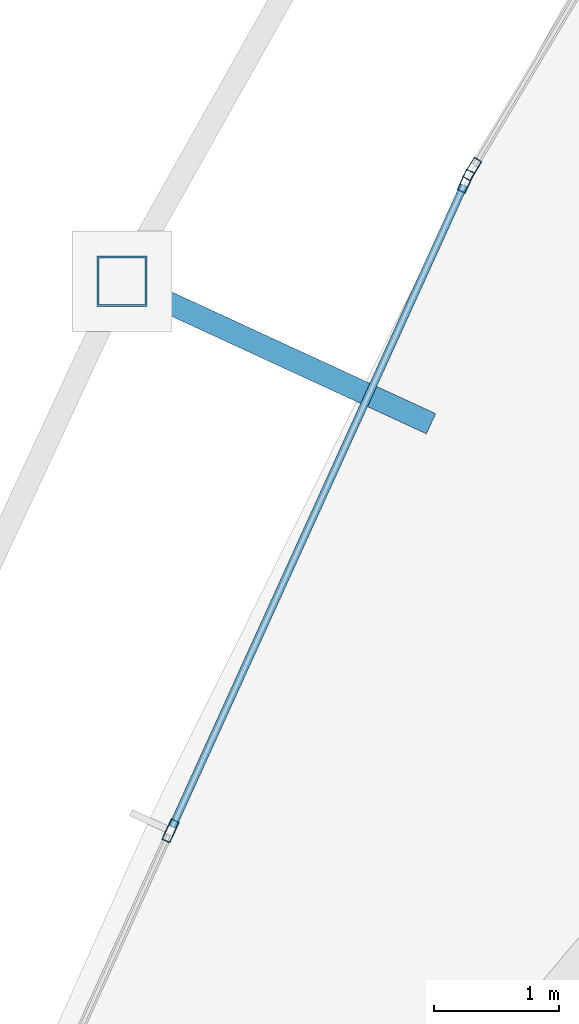
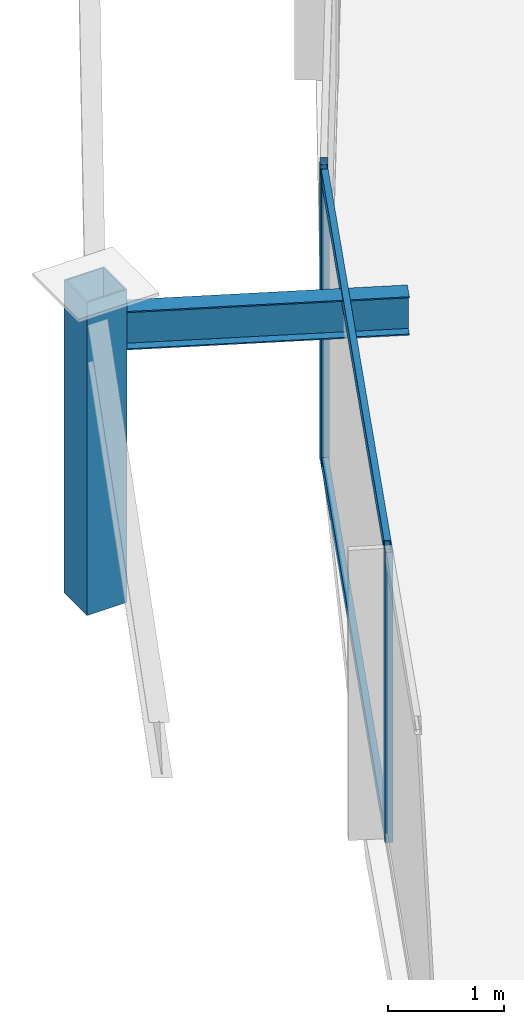
# One storey, part 9 of 31: 6 members, 1 beam, 2 elements without a shape of their own.
"""IFC4 building model written with IfcOpenShell, lengths in metres."""

from ifc_helpers import new_model, si_unit, direction, frame, origin, origin_2d, place, context, subcontext, project, spatial, hollow_rectangle, i_section, extrude, material, layer, layer_set, material_profile, profile_set, type_object, element, aggregate, save


model = new_model("IFC4")

# Units and contexts
model_context = context("Model", 3, precision=1e-05, world=origin(), true_north=direction((0.0, 1.0)))
body_context = subcontext(model_context, "Body", "Model", "MODEL_VIEW")
ifc_project = project(units=[si_unit("LENGTHUNIT", "METRE"), si_unit("AREAUNIT", "SQUARE_METRE"), si_unit("VOLUMEUNIT", "CUBIC_METRE"), si_unit("PLANEANGLEUNIT", "RADIAN"), si_unit("MASSUNIT", "GRAM", prefix="KILO")], contexts=[model_context])

# Site, building, storey
site_placement = place(None, origin())
site = spatial("IfcSite", under=ifc_project, at=site_placement, CompositionType="ELEMENT")
building_placement = place(site_placement, origin())
building = spatial("IfcBuilding", under=site, at=building_placement, Name="Orvanel Arch Residences", CompositionType="ELEMENT")
storey_placement = place(building_placement, frame((0.0, 0.0, 133.10009765625)))
storey = spatial("IfcBuildingStorey", under=building, at=storey_placement, Name="L37", CompositionType="ELEMENT", Elevation=133.10009765625)

# Curtain wall, member
ifc_material_1 = material(Name="Bronze-anodised aluminium AA6063-T6", Category="aluminium")
ifc_layer = layer(ifc_material_1, 0.179931640625)
ifc_layer_set = layer_set([ifc_layer], Name="Bronze-anodised aluminium AA6063-T6")
curtain_wall_type = type_object("IfcCurtainWallType", Name="CW3-MID-SYS", PredefinedType="NOTDEFINED", material=ifc_layer_set)
curtain_wall_1_placement = place(storey_placement, origin())
curtain_wall_1 = element("IfcCurtainWall", 1, at=curtain_wall_1_placement, inside=storey, type_object=curtain_wall_type, Name="L37 CW3-MID-SYS Unitised Curtain Wall", PredefinedType="NOTDEFINED")
ifc_material_profile_1 = material_profile(ifc_material_1, hollow_rectangle(XDim=0.070068359375, YDim=0.179931640625, WallThickness=0.00439453125, at=origin_2d()), Name="ALU180x70x4.5")
ifc_profile_set_1 = profile_set([ifc_material_profile_1], Name="Bronze-anodised aluminium AA6063-T6")
member_type_1 = type_object("IfcMemberType", Name="MUL-180x70", PredefinedType="MULLION", material=ifc_profile_set_1)
member_1_placement = place(storey_placement, frame((14.4189453125, 24.64599609375, 0.0), z_axis=(0.0, 0.0, 1.0), x_axis=(0.857531765451, -0.514431016991, 0.0)))
member_1 = element("IfcMember", 2, at=member_1_placement, type_object=member_type_1, Name="CW-S3 mullion 3", PredefinedType="MULLION", context=body_context, shape_type="SweptSolid", body=[
    extrude(hollow_rectangle(XDim=0.070068359375, YDim=0.179931640625, WallThickness=0.00439453125, at=origin_2d()), origin(), (0.0, 0.0, 1.0), 3.059814453125),
])
aggregate(curtain_wall_1, [member_1])

# Curtain wall, members
curtain_wall_2_placement = place(storey_placement, origin())
curtain_wall_2 = element("IfcCurtainWall", 3, at=curtain_wall_2_placement, inside=storey, type_object=curtain_wall_type, Name="L37 CW3-MID-SYS Unitised Curtain Wall", PredefinedType="NOTDEFINED")
member_2_placement = place(storey_placement, frame((14.368408203125, 24.549072265625, 0.0), z_axis=(0.0, 0.0, 1.0), x_axis=(0.91032458365, -0.413895098306, 0.0)))
member_2 = element("IfcMember", 4, at=member_2_placement, type_object=member_type_1, Name="CW-S3 mullion 1", PredefinedType="MULLION", context=body_context, shape_type="SweptSolid", body=[
    extrude(hollow_rectangle(XDim=0.070068359375, YDim=0.179931640625, WallThickness=0.00439453125, at=origin_2d()), origin(), (0.0, 0.0, 1.0), 3.059814453125),
])
member_3_placement = place(storey_placement, frame((12.014404296875, 19.371337890625, 0.0), z_axis=(0.0, 0.0, 1.0), x_axis=(0.91032458365, -0.413895098306, 0.0)))
member_3 = element("IfcMember", 5, at=member_3_placement, type_object=member_type_1, Name="CW-S3 mullion 2", PredefinedType="MULLION", context=body_context, shape_type="SweptSolid", body=[
    extrude(hollow_rectangle(XDim=0.070068359375, YDim=0.179931640625, WallThickness=0.00439453125, at=origin_2d()), origin(), (0.0, 0.0, 1.0), 3.059814453125),
])

# Beam
ifc_material_2 = material(Name="Structural steel AS/NZS 3679.1 Grade 300 (300 MPa)", Category="steel")
ifc_material_profile_2 = material_profile(ifc_material_2, i_section(OverallWidth=0.177978515625, OverallDepth=0.406005859375, WebThickness=0.0078125, FlangeThickness=0.0126953125, at=origin_2d()), Name="410UB59.7")
ifc_profile_set_2 = profile_set([ifc_material_profile_2], Name="Structural steel AS/NZS 3679.1 Grade 300 (300 MPa)")
beam_type = type_object("IfcBeamType", Name="OB-410UB-EXT", PredefinedType="SPANDREL", material=ifc_profile_set_2)
beam_placement = place(storey_placement, frame((14.091064453125, 22.615966796875, 2.85693359375), z_axis=(-0.90807789362, 0.418801312222, 0.0), x_axis=(-0.418801312222, -0.90807789362, 0.0)))
element("IfcBeam", 6, at=beam_placement, inside=storey, type_object=beam_type, Name="L37 Outer Frame Radial Tie Beam 03", PredefinedType="SPANDREL", context=body_context, shape_type="SweptSolid", body=[
    extrude(i_section(OverallWidth=0.177978515625, OverallDepth=0.406005859375, WebThickness=0.0078125, FlangeThickness=0.0126953125, at=origin_2d()), origin(), (0.0, 0.0, 1.0), 2.71240234375),
])

# Member
ifc_material_3 = material(Name="Structural steel AS/NZS 1163 C450L0 (Grade 450)", Category="steel")
ifc_material_profile_3 = material_profile(ifc_material_3, hollow_rectangle(XDim=0.39990234375, YDim=0.39990234375, WallThickness=0.01611328125, at=origin_2d()), Name="SHS400x400x16")
ifc_profile_set_3 = profile_set([ifc_material_profile_3], Name="Structural steel AS/NZS 1163 C450L0 (Grade 450)")
member_type_2 = type_object("IfcMemberType", Name="ST-400SHS-EXT", PredefinedType="STRUT", material=ifc_profile_set_3)
member_4_placement = place(storey_placement, frame((11.6279296875, 23.751953125, 0.0), z_axis=(0.0, 0.0, 1.0), x_axis=(1.0, 0.0, 0.0)))
element("IfcMember", 7, at=member_4_placement, inside=storey, type_object=member_type_2, Name="L37 Outer Perimeter Frame Post 03", PredefinedType="STRUT", context=body_context, shape_type="SweptSolid", body=[
    extrude(hollow_rectangle(XDim=0.39990234375, YDim=0.39990234375, WallThickness=0.01611328125, at=origin_2d()), origin(), (0.0, 0.0, 1.0), 3.2998046875),
])

ifc_material_profile_4 = material_profile(ifc_material_1, hollow_rectangle(XDim=0.06005859375, YDim=0.135009765625, WallThickness=0.00390625, at=origin_2d()), Name="ALU135x60x4")
ifc_profile_set_4 = profile_set([ifc_material_profile_4], Name="Bronze-anodised aluminium AA6063-T6")
member_type_3 = type_object("IfcMemberType", Name="TRN-135x60", PredefinedType="USERDEFINED", material=ifc_profile_set_4)
member_5_placement = place(storey_placement, frame((14.35400390625, 24.517333984375, 0.02978515625), z_axis=(-0.413881521981, -0.910330756243, 0.0), x_axis=(0.910330756243, -0.413881521981, 0.0)))
member_5 = element("IfcMember", 8, at=member_5_placement, type_object=member_type_3, Name="CW-S3 transom 1.1", ObjectType="TRANSOM", PredefinedType="USERDEFINED", context=body_context, shape_type="SweptSolid", body=[
    extrude(hollow_rectangle(XDim=0.06005859375, YDim=0.135009765625, WallThickness=0.00390625, at=origin_2d()), origin(), (0.0, 0.0, 1.0), 5.617919921875),
])

member_6_placement = place(storey_placement, frame((14.35400390625, 24.517333984375, 3.02978515625), z_axis=(-0.413881521981, -0.910330756243, 0.0), x_axis=(0.910330756243, -0.413881521981, 0.0)))
member_6 = element("IfcMember", 9, at=member_6_placement, type_object=member_type_3, Name="CW-S3 transom 1.2", ObjectType="TRANSOM", PredefinedType="USERDEFINED", context=body_context, shape_type="SweptSolid", body=[
    extrude(hollow_rectangle(XDim=0.06005859375, YDim=0.135009765625, WallThickness=0.00390625, at=origin_2d()), origin(), (0.0, 0.0, 1.0), 5.617919921875),
])

aggregate(curtain_wall_2, [member_2, member_3, member_5, member_6])

save(model, "model.ifc")
